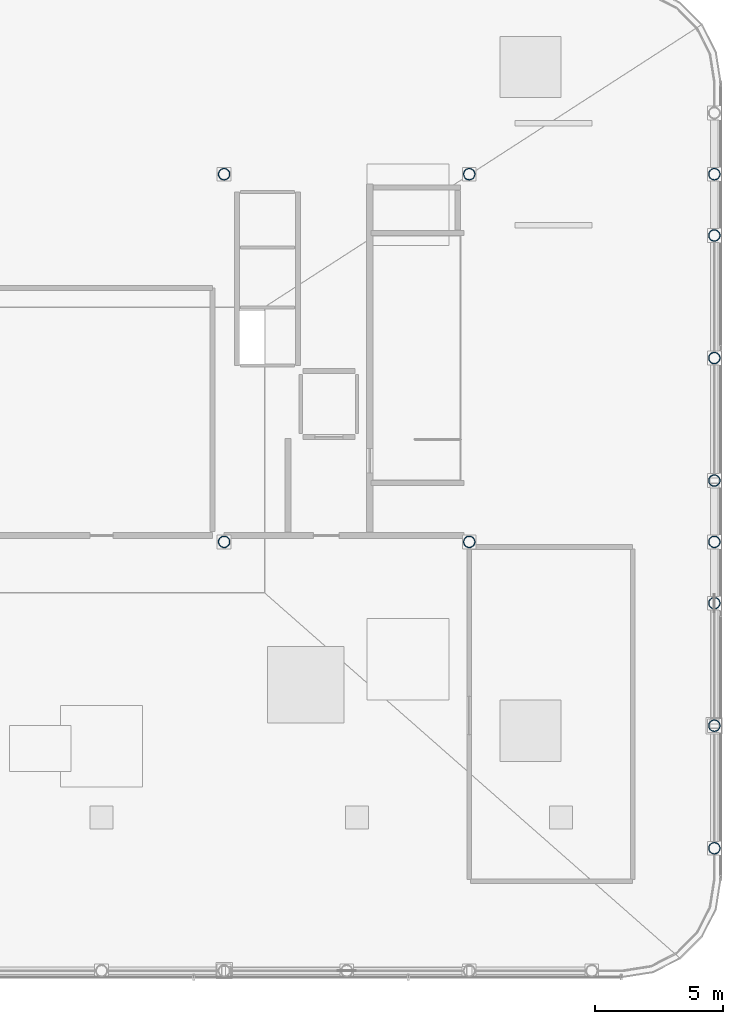
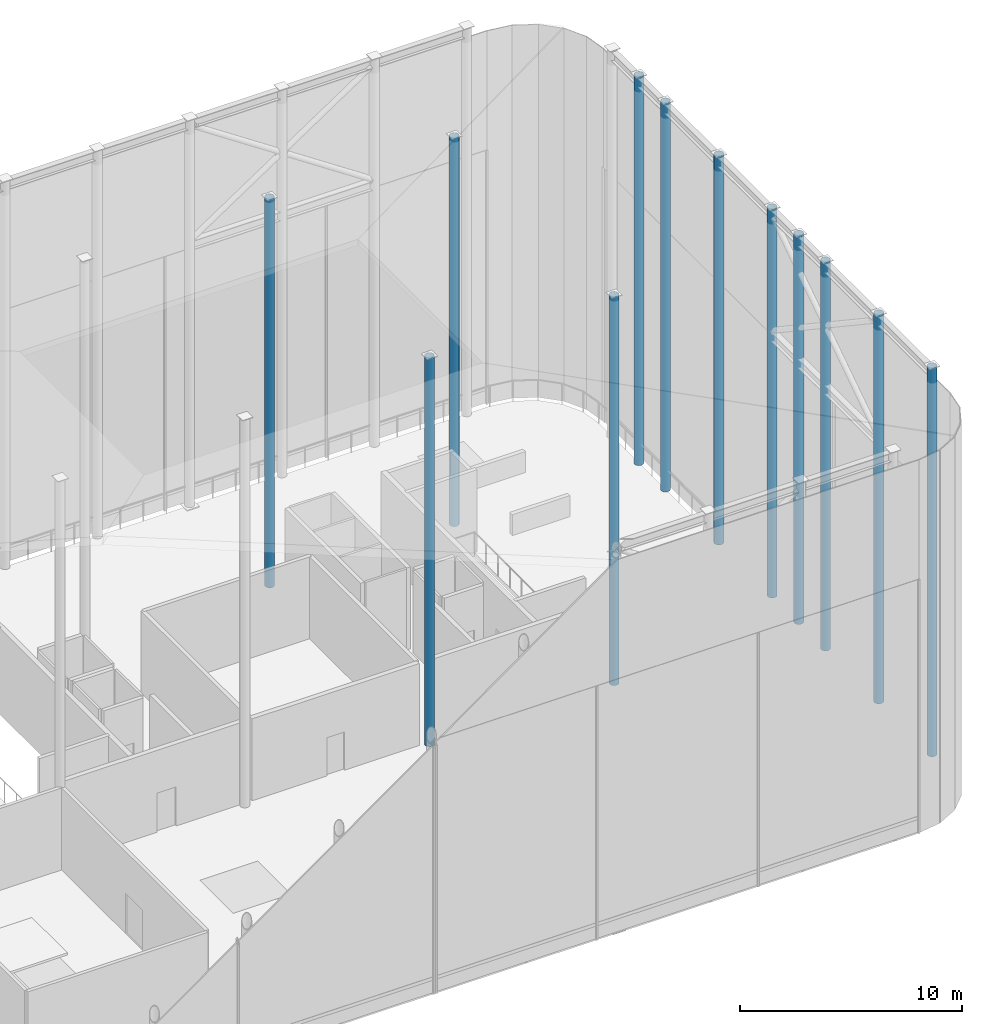
# One storey, part 2 of 42: 12 columns.
"""IFC4 building model written with IfcOpenShell, lengths in metres."""

import ifcopenshell
import ifcopenshell.guid

model = None  # the IFC model being written
_history = None  # IfcOwnerHistory: only IFC2X3 demands one
_inside = {}  # id of a spatial element -> (the spatial element, [elements in it])
_under = {}  # id of a project, library or spatial element -> (it, [spatial elements below it])
_declared = {}  # id of a project -> (the project, [libraries it declares])
_typed = {}  # id of a type object -> (the type object, [elements of that type])
_made_of = {}  # id of a material, layer set ... -> (it, [elements and type objects made of it])


def new_model(schema):
    """Start an empty IFC model of exactly this schema.

    Asked for "IFC4X3", IfcOpenShell would pick the latest addendum, in which some entities
    have other attributes; the version numbers below select the first issue.
    IFC2X3 requires an IfcOwnerHistory on every rooted entity: one is made here for all.
    """
    global model, _history
    if schema == "IFC4X3":
        model = ifcopenshell.file(schema_version=(4, 3, 0, 0))
    else:
        model = ifcopenshell.file(schema=schema)
    _inside.clear()
    _under.clear()
    _declared.clear()
    _typed.clear()
    _made_of.clear()
    _history = None
    if model.schema == "IFC2X3":
        org = make("IfcOrganization", Name="unknown")
        user = make(
            "IfcPersonAndOrganization",
            ThePerson=make("IfcPerson", FamilyName="unknown"),
            TheOrganization=org,
        )
        app = make(
            "IfcApplication",
            ApplicationDeveloper=org,
            Version="unknown",
            ApplicationFullName="unknown",
            ApplicationIdentifier="unknown",
        )
        _history = make(
            "IfcOwnerHistory",
            OwningUser=user,
            OwningApplication=app,
            ChangeAction="ADDED",
            CreationDate=0,
        )
    return model


def make(cls, **values):
    """One entity of the class cls with the attributes given. An attribute that is None is left unset."""
    return model.create_entity(
        cls, **{name: value for name, value in values.items() if value is not None}
    )


def rooted(cls, **values):
    """An entity with a GlobalId (a new one), such as an element, a storey or a relation."""
    return make(cls, GlobalId=ifcopenshell.guid.new(), OwnerHistory=_history, **values)


def si_unit(unit_type, name, prefix=None):
    """IfcSIUnit, for example si_unit("LENGTHUNIT", "METRE", prefix="MILLI")."""
    return make("IfcSIUnit", UnitType=unit_type, Prefix=prefix, Name=name)


def assignment(units):
    """IfcUnitAssignment: the units of a project."""
    return None if units is None else make("IfcUnitAssignment", Units=units)


def point(xyz):
    """IfcCartesianPoint."""
    return None if xyz is None else make("IfcCartesianPoint", Coordinates=xyz)


def direction(xyz):
    """IfcDirection."""
    return None if xyz is None else make("IfcDirection", DirectionRatios=xyz)


def frame(location, z_axis=None, x_axis=None):
    """IfcAxis2Placement3D, a coordinate frame: its origin and axes. An axis left out is left unset."""
    return make(
        "IfcAxis2Placement3D",
        Location=point(location),
        Axis=direction(z_axis),
        RefDirection=direction(x_axis),
    )


def frame_2d(location, x_axis=None):
    """IfcAxis2Placement2D, a coordinate frame in the plane: its origin and x axis."""
    return make(
        "IfcAxis2Placement2D", Location=point(location), RefDirection=direction(x_axis)
    )


def origin():
    """The frame at (0, 0, 0) with its axes left unset."""
    return frame((0.0, 0.0, 0.0))


def origin_2d():
    """The frame at (0, 0) in the plane with its x axis left unset."""
    return frame_2d((0.0, 0.0))


def place(relative_to, where):
    """IfcLocalPlacement: puts the frame where relative to a parent placement (None: the world)."""
    return make(
        "IfcLocalPlacement", PlacementRelTo=relative_to, RelativePlacement=where
    )


def context(
    kind, dimensions, precision=None, world=None, true_north=None, identifier=None
):
    """IfcGeometricRepresentationContext, for example the 3D "Model" context."""
    return make(
        "IfcGeometricRepresentationContext",
        ContextIdentifier=identifier,
        ContextType=kind,
        CoordinateSpaceDimension=dimensions,
        Precision=precision,
        WorldCoordinateSystem=world,
        TrueNorth=true_north,
    )


def subcontext(parent, identifier, kind, view, scale=None):
    """IfcGeometricRepresentationSubContext, for example "Body" below "Model"."""
    return make(
        "IfcGeometricRepresentationSubContext",
        ContextIdentifier=identifier,
        ContextType=kind,
        ParentContext=parent,
        TargetScale=scale,
        TargetView=view,
    )


def project(units=None, contexts=None):
    """IfcProject with its units and contexts."""
    return rooted(
        "IfcProject",
        Name="project",
        RepresentationContexts=contexts,
        UnitsInContext=assignment(units),
    )


def spatial(cls, under=None, at=None, **own):
    """A site, building, storey or space (cls), placed at a placement, below another one or the project."""
    s = rooted(cls, ObjectPlacement=at, **own)
    if under is not None:
        _under.setdefault(under.id(), (under, []))[1].append(s)
    return s


def profile(cls, at=None, kind="AREA", **sizes):
    """A parametric profile (cls). Its sizes go by their IFC names, for example OverallWidth=200.0."""
    return make(cls, ProfileType=kind, Position=at, **sizes)


def hollow_circle(**sizes):
    """IfcCircleHollowProfileDef."""
    return profile("IfcCircleHollowProfileDef", **sizes)


def extrude(swept, where, along, depth):
    """IfcExtrudedAreaSolid: the profile swept, set in the frame where, extruded along a direction by depth."""
    return make(
        "IfcExtrudedAreaSolid",
        SweptArea=swept,
        Position=where,
        ExtrudedDirection=direction(along),
        Depth=depth,
    )


def shape(context_of_items, identifier, shape_type, items):
    """IfcShapeRepresentation: the items that make up one representation, for example the "Body"."""
    return make(
        "IfcShapeRepresentation",
        ContextOfItems=context_of_items,
        RepresentationIdentifier=identifier,
        RepresentationType=shape_type,
        Items=items,
    )


def material(Name=None, Category=None):
    """IfcMaterial."""
    return make("IfcMaterial", Name=Name, Category=Category)


def material_profile(
    of_material, cross_section, Name=None, Category=None, Priority=None
):
    """IfcMaterialProfile: a cross section and its material."""
    return make(
        "IfcMaterialProfile",
        Name=Name,
        Material=of_material,
        Profile=cross_section,
        Priority=Priority,
        Category=Category,
    )


def profile_set(profiles, Name=None, composite=None):
    """IfcMaterialProfileSet."""
    return make(
        "IfcMaterialProfileSet",
        Name=Name,
        MaterialProfiles=profiles,
        CompositeProfile=composite,
    )


def made_of(thing, what):
    """Note that an element or type object is made of a material, layer set ...; save() writes the relation."""
    if what is not None:
        _made_of.setdefault(what.id(), (what, []))[1].append(thing)
    return thing


def type_object(cls, material=None, **own):
    """A type object (cls), such as IfcWallType, which elements share."""
    return made_of(rooted(cls, **own), material)


def element(
    cls,
    number,
    at=None,
    inside=None,
    cuts=None,
    type_object=None,
    material=None,
    context=None,
    identifier="Body",
    shape_type=None,
    held_by="IfcProductDefinitionShape",
    body=None,
    shapes=None,
    **own,
):
    """One element of the class cls, such as IfcWall. Its Tag is "e" and its number.

    at: its placement. inside: the storey or other place that contains it. cuts: it is an
    opening in that element (IfcRelVoidsElement). A single representation is given by context,
    identifier, shape_type and body (its items); several are given by shapes. held_by: the class
    of the entity that holds the representations. save() writes the other relations.
    """
    e = rooted(cls, Tag="e%d" % number, ObjectPlacement=at, **own)
    if body is not None:
        shapes = [shape(context, identifier, shape_type, body)]
    if shapes is not None:
        e.Representation = make(held_by, Representations=shapes)
    if inside is not None:
        _inside.setdefault(inside.id(), (inside, []))[1].append(e)
    if cuts is not None:
        rooted(
            "IfcRelVoidsElement", RelatingBuildingElement=cuts, RelatedOpeningElement=e
        )
    if type_object is not None:
        _typed.setdefault(type_object.id(), (type_object, []))[1].append(e)
    return made_of(e, material)


def aggregate(whole, parts):
    """IfcRelAggregates: a whole, such as a stair, and the parts it consists of."""
    return rooted("IfcRelAggregates", RelatingObject=whole, RelatedObjects=parts)


def save(model, path):
    """Write the relations noted so far, then the file.

    IfcRelAggregates (storeys below a building ...), IfcRelContainedInSpatialStructure (elements
    in a storey), IfcRelDefinesByType, IfcRelAssociatesMaterial and IfcRelDeclares: one each for
    every whole, place, type object, material and project.
    """
    for whole, parts in _under.values():
        aggregate(whole, parts)
    for where, things in _inside.values():
        rooted(
            "IfcRelContainedInSpatialStructure",
            RelatedElements=things,
            RelatingStructure=where,
        )
    for kind, things in _typed.values():
        rooted("IfcRelDefinesByType", RelatedObjects=things, RelatingType=kind)
    for what, things in _made_of.values():
        rooted("IfcRelAssociatesMaterial", RelatedObjects=things, RelatingMaterial=what)
    for by, libraries in _declared.values():
        rooted("IfcRelDeclares", RelatingContext=by, RelatedDefinitions=libraries)
    model.write(path)


model = new_model("IFC4")

# Units and contexts
model_context = context("Model", 3, precision=1e-05, world=origin(), true_north=direction((0.0, 1.0)))
body_context = subcontext(model_context, "Body", "Model", "MODEL_VIEW")
ifc_project = project(units=[si_unit("LENGTHUNIT", "METRE"), si_unit("AREAUNIT", "SQUARE_METRE"), si_unit("VOLUMEUNIT", "CUBIC_METRE"), si_unit("PLANEANGLEUNIT", "RADIAN"), si_unit("MASSUNIT", "GRAM", prefix="KILO")], contexts=[model_context])

# Site, building, storey
site_placement = place(None, origin())
site = spatial("IfcSite", under=ifc_project, at=site_placement, CompositionType="ELEMENT")
building_placement = place(site_placement, origin())
building = spatial("IfcBuilding", under=site, at=building_placement, Name="Kallvorn Hotel Tower", CompositionType="ELEMENT")
storey_placement = place(building_placement, frame((0.0, 0.0, 306.0)))
storey = spatial("IfcBuildingStorey", under=building, at=storey_placement, Name="ROOF", CompositionType="ELEMENT", Elevation=306.0)

# Columns
ifc_material = material(Name="Structural steel S355J2H", Category="steel")
ifc_material_profile = material_profile(ifc_material, hollow_circle(Radius=0.228515625, WallThickness=0.02001953125, at=origin_2d()), Name="CHS 457x20")
ifc_profile_set = profile_set([ifc_material_profile], Name="Structural steel S355J2H")
column_type = type_object("IfcColumnType", Name="COL_CHS_457", PredefinedType="COLUMN", material=ifc_profile_set)
for number, where, z_axis, x_axis, name in (
    (1, (4.800048828125, -7.199951171875, 0.0), (0.0, 0.0, 1.0), (1.0, 0.0, 0.0), "CROWN FRAME Ring Column 27"),
    (2, (4.800048828125, 7.199951171875, 0.0), (0.0, 0.0, 1.0), (1.0, 0.0, 0.0), "CROWN FRAME Ring Column 28"),
    (3, (14.39990234375, -7.199951171875, 0.0), (0.0, 0.0, 1.0), (1.0, 0.0, 0.0), "CROWN FRAME Ring Column 33"),
    (4, (14.39990234375, 7.199951171875, 0.0), (0.0, 0.0, 1.0), (1.0, 0.0, 0.0), "CROWN FRAME Ring Column 34"),
    (5, (24.0, -19.199951171875, 0.0), (0.0, 0.0, 1.0), (1.0, 0.0, 0.0), "CROWN FRAME Ring Column 38"),
    (6, (24.0, -14.39990234375, 0.0), (0.0, 0.0, 1.0), (1.0, 0.0, 0.0), "CROWN FRAME Ring Column 39"),
    (7, (24.0, -9.60009765625, 0.0), (0.0, 0.0, 1.0), (1.0, 0.0, 0.0), "CROWN FRAME Ring Column 40"),
    (8, (24.0, -7.199951171875, 0.0), (0.0, 0.0, 1.0), (1.0, 0.0, 0.0), "CROWN FRAME Ring Column 41"),
    (9, (24.0, -4.800048828125, 0.0), (0.0, 0.0, 1.0), (1.0, 0.0, 0.0), "CROWN FRAME Ring Column 42"),
    (10, (24.0, 0.0, 0.0), (0.0, 0.0, 1.0), (1.0, 0.0, 0.0), "CROWN FRAME Ring Column 43"),
    (11, (24.0, 4.800048828125, 0.0), (0.0, 0.0, 1.0), (1.0, 0.0, 0.0), "CROWN FRAME Ring Column 44"),
    (12, (24.0, 7.199951171875, 0.0), (0.0, 0.0, 1.0), (1.0, 0.0, 0.0), "CROWN FRAME Ring Column 45"),
):
    element("IfcColumn", number, at=place(storey_placement, frame(where, z_axis=z_axis, x_axis=x_axis)), inside=storey, type_object=column_type, Name=name, PredefinedType="COLUMN", context=body_context, shape_type="SweptSolid", body=[
        extrude(hollow_circle(Radius=0.228515625, WallThickness=0.02001953125, at=origin_2d()), origin(), (0.0, 0.0, 1.0), 21.360107421875),
    ])

save(model, "model.ifc")
